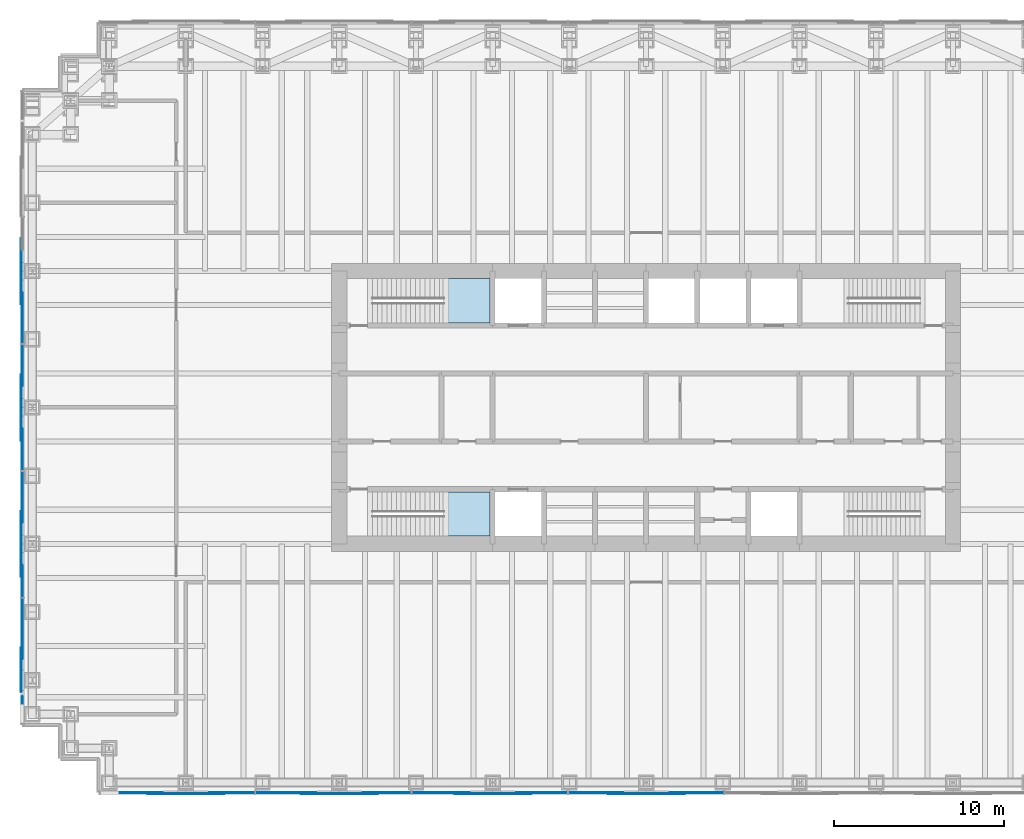
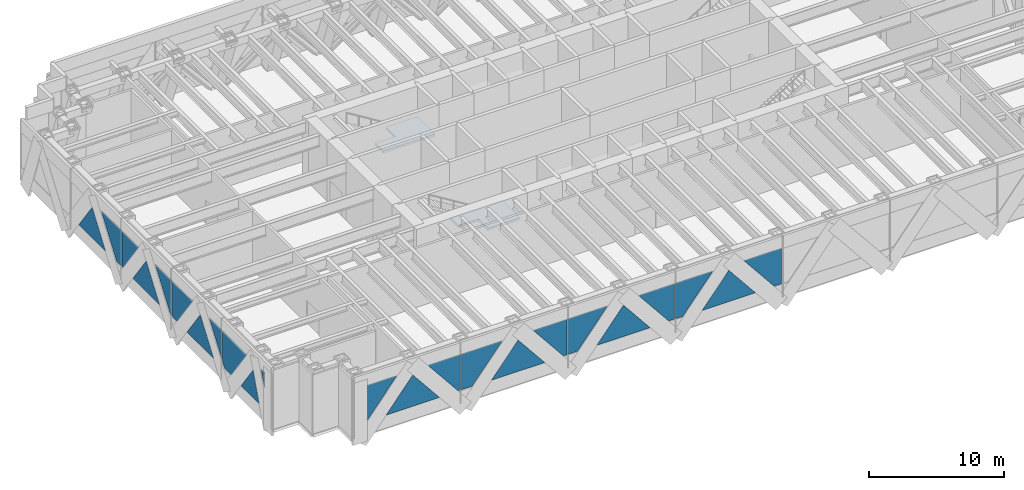
# One storey, part 10 of 16: 23 plates, 2 slabs, 4 elements without a shape of their own.
"""IFC4 building model written with IfcOpenShell, lengths in metres."""

from ifc_helpers import new_model, si_unit, direction, frame, origin, place, context, subcontext, project, spatial, polyline, outline, extrude, material, layer, layer_set, type_object, element, aggregate, save


model = new_model("IFC4")

# Units and contexts
model_context = context("Model", 3, precision=1e-05, world=origin(), true_north=direction((0.0, 1.0)))
body_context = subcontext(model_context, "Body", "Model", "MODEL_VIEW")
ifc_project = project(units=[si_unit("LENGTHUNIT", "METRE"), si_unit("AREAUNIT", "SQUARE_METRE"), si_unit("VOLUMEUNIT", "CUBIC_METRE"), si_unit("PLANEANGLEUNIT", "RADIAN"), si_unit("MASSUNIT", "GRAM", prefix="KILO")], contexts=[model_context])

# Site, building, storey
site_placement = place(None, origin())
site = spatial("IfcSite", under=ifc_project, at=site_placement, CompositionType="ELEMENT")
building_placement = place(site_placement, origin())
building = spatial("IfcBuilding", under=site, at=building_placement, Name="Rheinbord Bourse Tower", CompositionType="ELEMENT")
storey_placement = place(building_placement, frame((0.0, 0.0, 180.300048828125)))
storey = spatial("IfcBuildingStorey", under=building, at=storey_placement, Name="L40", CompositionType="ELEMENT", Elevation=180.300048828125)

# Curtain wall, plates
ifc_material_1 = material(Name="Dark glass and black aluminium", Category="aluminium")
curtain_wall_type = type_object("IfcCurtainWallType", Name="CW5 DARK GLASS CURTAIN WALL", PredefinedType="USERDEFINED", material=ifc_material_1)
curtain_wall_1_placement = place(storey_placement, origin())
curtain_wall_1 = element("IfcCurtainWall", 1, at=curtain_wall_1_placement, inside=storey, type_object=curtain_wall_type, Name="Curtain wall CW5 S L40", ObjectType="UNITISED CURTAIN WALL", PredefinedType="USERDEFINED")
ifc_material_2 = material(Name="Dark tinted triple insulating glass", Category="glass")
ifc_layer_1 = layer(ifc_material_2, 0.050048828125)
ifc_layer_set_1 = layer_set([ifc_layer_1], Name="CW5 DARK GLASS PANEL")
plate_type = type_object("IfcPlateType", Name="CW5 DARK GLASS PANEL", PredefinedType="CURTAIN_PANEL", material=ifc_layer_set_1)
plate_1_placement = place(storey_placement, frame((7.677001953125, 1.375, 4.349853515625), z_axis=(0.0, 1.0, 0.0), x_axis=(-0.627103706788, 0.0, -0.778935774587)))
plate_1 = element("IfcPlate", 2, at=plate_1_placement, type_object=plate_type, Name="CW5 glass facet 1", PredefinedType="CURTAIN_PANEL", context=body_context, shape_type="SweptSolid", body=[
    extrude(outline(polyline([(0.0, 0.0), (4.061767578125, 0.0), (1.597412109375, 1.984130859375), (0.0, 0.0)])), origin(), (0.0, 0.0, 1.0), 0.050048828125),
])
plate_2_placement = place(storey_placement, frame((6.717041015625, 1.31982421875, 1.14990234375), z_axis=(0.0, 1.0, 0.0), x_axis=(0.627071935426, 0.0, 0.778961351931)))
plate_2 = element("IfcPlate", 3, at=plate_2_placement, type_object=plate_type, Name="CW5 glass facet 2", PredefinedType="CURTAIN_PANEL", context=body_context, shape_type="SweptSolid", body=[
    extrude(outline(polyline([(0.0, 0.0), (3.640625, 0.0), (2.863037109375, 3.556640625), (0.0, 0.0)])), origin(), (0.0, 0.0, 1.0), 0.050048828125),
])
plate_3_placement = place(storey_placement, frame((13.031005859375, 1.375, 4.349853515625), z_axis=(0.0, 1.0, 0.0), x_axis=(0.0, 0.0, -1.0)))
plate_3 = element("IfcPlate", 4, at=plate_3_placement, type_object=plate_type, Name="CW5 glass facet 3", PredefinedType="CURTAIN_PANEL", context=body_context, shape_type="SweptSolid", body=[
    extrude(outline(polyline([(0.0, 0.0), (3.199951171875, 0.0), (3.199951171875, 0.132080078125), (0.0, 2.7080078125), (0.0, 0.0)])), origin(), (0.0, 0.0, 1.0), 0.050048828125),
])
plate_4_placement = place(storey_placement, frame((13.111083984375, 1.375, 1.14990234375), z_axis=(0.0, 1.0, 0.0), x_axis=(0.0, 0.0, 1.0)))
plate_4 = element("IfcPlate", 5, at=plate_4_placement, type_object=plate_type, Name="CW5 glass facet 1", PredefinedType="CURTAIN_PANEL", context=body_context, shape_type="SweptSolid", body=[
    extrude(outline(polyline([(0.0, 0.0), (3.199951171875, 0.0), (3.199951171875, 3.56591796875), (0.0, 0.989990234375), (0.0, 0.0)])), origin(), (0.0, 0.0, 1.0), 0.050048828125),
])
plate_5_placement = place(storey_placement, frame((15.717041015625, 1.31982421875, 1.14990234375), z_axis=(0.0, 1.0, 0.0), x_axis=(0.627071935426, 0.0, 0.778961351931)))
plate_5 = element("IfcPlate", 6, at=plate_5_placement, type_object=plate_type, Name="CW5 glass facet 2", PredefinedType="CURTAIN_PANEL", context=body_context, shape_type="SweptSolid", body=[
    extrude(outline(polyline([(0.0, 0.0), (3.640625, 0.0), (2.863037109375, 3.556640625), (0.0, 0.0)])), origin(), (0.0, 0.0, 1.0), 0.050048828125),
])
plate_6_placement = place(storey_placement, frame((22.202880859375, 1.375, 4.349853515625), z_axis=(0.0, 1.0, 0.0), x_axis=(0.0, 0.0, -1.0)))
plate_6 = element("IfcPlate", 7, at=plate_6_placement, type_object=plate_type, Name="CW5 glass facet 3", PredefinedType="CURTAIN_PANEL", context=body_context, shape_type="SweptSolid", body=[
    extrude(outline(polyline([(0.0, 0.0), (3.199951171875, 0.0), (3.199951171875, 0.303955078125), (0.0, 2.8798828125), (0.0, 0.0)])), origin(), (0.0, 0.0, 1.0), 0.050048828125),
])
plate_7_placement = place(storey_placement, frame((22.282958984375, 1.375, 1.14990234375), z_axis=(0.0, 1.0, 0.0), x_axis=(0.0, 0.0, 1.0)))
plate_7 = element("IfcPlate", 8, at=plate_7_placement, type_object=plate_type, Name="CW5 glass facet 1", PredefinedType="CURTAIN_PANEL", context=body_context, shape_type="SweptSolid", body=[
    extrude(outline(polyline([(0.0, 0.0), (3.199951171875, 0.0), (3.199951171875, 3.39404296875), (0.0, 0.818115234375), (0.0, 0.0)])), origin(), (0.0, 0.0, 1.0), 0.050048828125),
])
plate_8_placement = place(storey_placement, frame((24.717041015625, 1.31982421875, 1.14990234375), z_axis=(0.0, 1.0, 0.0), x_axis=(0.627071935426, 0.0, 0.778961351931)))
plate_8 = element("IfcPlate", 9, at=plate_8_placement, type_object=plate_type, Name="CW5 glass facet 2", PredefinedType="CURTAIN_PANEL", context=body_context, shape_type="SweptSolid", body=[
    extrude(outline(polyline([(0.0, 0.0), (3.640625, 0.0), (2.863037109375, 3.556640625), (0.0, 0.0)])), origin(), (0.0, 0.0, 1.0), 0.050048828125),
])
plate_9_placement = place(storey_placement, frame((31.3740234375, 1.375, 4.349853515625), z_axis=(0.0, 1.0, 0.0), x_axis=(0.0, 0.0, -1.0)))
plate_9 = element("IfcPlate", 10, at=plate_9_placement, type_object=plate_type, Name="CW5 glass facet 3", PredefinedType="CURTAIN_PANEL", context=body_context, shape_type="SweptSolid", body=[
    extrude(outline(polyline([(0.0, 0.0), (3.199951171875, 0.0), (3.199951171875, 0.47509765625), (0.0, 3.051025390625), (0.0, 0.0)])), origin(), (0.0, 0.0, 1.0), 0.050048828125),
])
plate_10_placement = place(storey_placement, frame((31.4541015625, 1.375, 1.14990234375), z_axis=(0.0, 1.0, 0.0), x_axis=(0.0, 0.0, 1.0)))
plate_10 = element("IfcPlate", 11, at=plate_10_placement, type_object=plate_type, Name="CW5 glass facet 1", PredefinedType="CURTAIN_PANEL", context=body_context, shape_type="SweptSolid", body=[
    extrude(outline(polyline([(0.0, 0.0), (3.199951171875, 0.0), (3.199951171875, 3.222900390625), (0.0, 0.64697265625), (0.0, 0.0)])), origin(), (0.0, 0.0, 1.0), 0.050048828125),
])
plate_11_placement = place(storey_placement, frame((33.717041015625, 1.31982421875, 1.14990234375), z_axis=(0.0, 1.0, 0.0), x_axis=(0.627071935426, 0.0, 0.778961351931)))
plate_11 = element("IfcPlate", 12, at=plate_11_placement, type_object=plate_type, Name="CW5 glass facet 2", PredefinedType="CURTAIN_PANEL", context=body_context, shape_type="SweptSolid", body=[
    extrude(outline(polyline([(0.0, 0.0), (3.640625, 0.0), (2.863037109375, 3.556640625), (0.0, 0.0)])), origin(), (0.0, 0.0, 1.0), 0.050048828125),
])
plate_12_placement = place(storey_placement, frame((40.5458984375, 1.375, 4.349853515625), z_axis=(0.0, 1.0, 0.0), x_axis=(0.0, 0.0, -1.0)))
plate_12 = element("IfcPlate", 13, at=plate_12_placement, type_object=plate_type, Name="CW5 glass facet 3", PredefinedType="CURTAIN_PANEL", context=body_context, shape_type="SweptSolid", body=[
    extrude(outline(polyline([(0.0, 0.0), (3.199951171875, 0.0), (3.199951171875, 0.64697265625), (0.0, 3.222900390625), (0.0, 0.0)])), origin(), (0.0, 0.0, 1.0), 0.050048828125),
])
aggregate(curtain_wall_1, [plate_1, plate_2, plate_3, plate_4, plate_5, plate_6, plate_7, plate_8, plate_9, plate_10, plate_11, plate_12])

curtain_wall_2_placement = place(storey_placement, origin())
curtain_wall_2 = element("IfcCurtainWall", 14, at=curtain_wall_2_placement, inside=storey, type_object=curtain_wall_type, Name="Curtain wall CW5 W L40", ObjectType="UNITISED CURTAIN WALL", PredefinedType="USERDEFINED")
plate_13_placement = place(storey_placement, frame((-0.68017578125, 33.97412109375, 1.14990234375), z_axis=(1.0, 0.0, 0.0), x_axis=(0.0, -0.582034564553, 0.813164045975)))
plate_13 = element("IfcPlate", 15, at=plate_13_placement, type_object=plate_type, Name="CW5 glass facet 2", PredefinedType="CURTAIN_PANEL", context=body_context, shape_type="SweptSolid", body=[
    extrude(outline(polyline([(0.0, 0.0), (3.391845703125, 0.0), (2.298095703125, 3.21044921875), (0.0, 0.0)])), origin(), (0.0, 0.0, 1.0), 0.050048828125),
])
plate_14_placement = place(storey_placement, frame((-0.625, 27.760009765625, 4.349853515625), z_axis=(1.0, 0.0, 0.0), x_axis=(0.0, 0.0, -1.0)))
plate_14 = element("IfcPlate", 16, at=plate_14_placement, type_object=plate_type, Name="CW5 glass facet 3", PredefinedType="CURTAIN_PANEL", context=body_context, shape_type="SweptSolid", body=[
    extrude(outline(polyline([(0.0, 0.0), (3.199951171875, 0.0), (3.199951171875, 0.718017578125), (0.0, 3.008056640625), (0.0, 0.0)])), origin(), (0.0, 0.0, 1.0), 0.050048828125),
])
plate_15_placement = place(storey_placement, frame((-0.625, 27.679931640625, 1.14990234375), z_axis=(1.0, 0.0, 0.0), x_axis=(0.0, 0.0, 1.0)))
plate_15 = element("IfcPlate", 17, at=plate_15_placement, type_object=plate_type, Name="CW5 glass facet 1", PredefinedType="CURTAIN_PANEL", context=body_context, shape_type="SweptSolid", body=[
    extrude(outline(polyline([(0.0, 0.0), (3.199951171875, 0.0), (3.199951171875, 2.447998046875), (0.0, 0.157958984375), (0.0, 0.0)])), origin(), (0.0, 0.0, 1.0), 0.050048828125),
])
plate_16_placement = place(storey_placement, frame((-0.68017578125, 25.97412109375, 1.14990234375), z_axis=(1.0, 0.0, 0.0), x_axis=(0.0, -0.582034564553, 0.813164045975)))
plate_16 = element("IfcPlate", 18, at=plate_16_placement, type_object=plate_type, Name="CW5 glass facet 2", PredefinedType="CURTAIN_PANEL", context=body_context, shape_type="SweptSolid", body=[
    extrude(outline(polyline([(0.0, 0.0), (3.391845703125, 0.0), (2.298095703125, 3.21044921875), (0.0, 0.0)])), origin(), (0.0, 0.0, 1.0), 0.050048828125),
])
plate_17_placement = place(storey_placement, frame((-0.625, 20.320068359375, 4.349853515625), z_axis=(1.0, 0.0, 0.0), x_axis=(0.0, 0.0, -1.0)))
plate_17 = element("IfcPlate", 19, at=plate_17_placement, type_object=plate_type, Name="CW5 glass facet 3", PredefinedType="CURTAIN_PANEL", context=body_context, shape_type="SweptSolid", body=[
    extrude(outline(polyline([(0.0, 0.0), (3.199951171875, 0.0), (3.199951171875, 0.157958984375), (0.0, 2.447998046875), (0.0, 0.0)])), origin(), (0.0, 0.0, 1.0), 0.050048828125),
])
plate_18_placement = place(storey_placement, frame((-0.625, 20.239990234375, 1.14990234375), z_axis=(1.0, 0.0, 0.0), x_axis=(0.0, 0.0, 1.0)))
plate_18 = element("IfcPlate", 20, at=plate_18_placement, type_object=plate_type, Name="CW5 glass facet 1", PredefinedType="CURTAIN_PANEL", context=body_context, shape_type="SweptSolid", body=[
    extrude(outline(polyline([(0.0, 0.0), (3.199951171875, 0.0), (3.199951171875, 3.008056640625), (0.0, 0.718017578125), (0.0, 0.0)])), origin(), (0.0, 0.0, 1.0), 0.050048828125),
])
plate_19_placement = place(storey_placement, frame((-0.68017578125, 17.97412109375, 1.14990234375), z_axis=(1.0, 0.0, 0.0), x_axis=(0.0, -0.582034564553, 0.813164045975)))
plate_19 = element("IfcPlate", 21, at=plate_19_placement, type_object=plate_type, Name="CW5 glass facet 2", PredefinedType="CURTAIN_PANEL", context=body_context, shape_type="SweptSolid", body=[
    extrude(outline(polyline([(0.0, 0.0), (3.391845703125, 0.0), (2.298095703125, 3.21044921875), (0.0, 0.0)])), origin(), (0.0, 0.0, 1.0), 0.050048828125),
])
plate_20_placement = place(storey_placement, frame((-0.625, 12.8798828125, 4.349853515625), z_axis=(1.0, 0.0, 0.0), x_axis=(0.0, 0.0, -1.0)))
plate_20 = element("IfcPlate", 22, at=plate_20_placement, type_object=plate_type, Name="CW5 glass facet 3", PredefinedType="CURTAIN_PANEL", context=body_context, shape_type="SweptSolid", body=[
    extrude(outline(polyline([(0.0, 0.0), (2.637939453125, 0.0), (0.0, 1.88818359375), (0.0, 0.0)])), origin(), (0.0, 0.0, 1.0), 0.050048828125),
])
plate_21_placement = place(storey_placement, frame((-0.625, 12.47802734375, 1.14990234375), z_axis=(1.0, 0.0, 0.0), x_axis=(0.0, 0.581989238369, 0.813196486971)))
plate_21 = element("IfcPlate", 23, at=plate_21_placement, type_object=plate_type, Name="CW5 glass facet 1", PredefinedType="CURTAIN_PANEL", context=body_context, shape_type="SweptSolid", body=[
    extrude(outline(polyline([(0.0, 0.0), (0.55322265625, 0.0), (2.78955078125, 1.6005859375), (0.712890625, 4.501953125), (-0.556396484375, 0.77734375), (0.0, 0.0)])), origin(), (0.0, 0.0, 1.0), 0.050048828125),
])
plate_22_placement = place(storey_placement, frame((-0.68017578125, 9.97412109375, 1.14990234375), z_axis=(1.0, 0.0, 0.0), x_axis=(0.0, -0.581930214908, 0.813238725699)))
plate_22 = element("IfcPlate", 24, at=plate_22_placement, type_object=plate_type, Name="CW5 glass facet 2", PredefinedType="CURTAIN_PANEL", context=body_context, shape_type="SweptSolid", body=[
    extrude(outline(polyline([(0.0, 0.0), (3.0693359375, 0.0), (1.55908203125, 2.1787109375), (0.0, 0.0)])), origin(), (0.0, 0.0, 1.0), 0.050048828125),
])
plate_23_placement = place(storey_placement, frame((-0.625, 6.6298828125, 4.349853515625), z_axis=(1.0, 0.0, 0.0), x_axis=(0.0, 0.0, -1.0)))
plate_23 = element("IfcPlate", 25, at=plate_23_placement, type_object=plate_type, Name="CW5 glass facet 3", PredefinedType="CURTAIN_PANEL", context=body_context, shape_type="SweptSolid", body=[
    extrude(outline(polyline([(0.0, 0.0), (1.322021484375, 0.0), (0.0, 0.47216796875), (0.0, 0.0)])), origin(), (0.0, 0.0, 1.0), 0.050048828125),
])
aggregate(curtain_wall_2, [plate_13, plate_14, plate_15, plate_16, plate_17, plate_18, plate_19, plate_20, plate_21, plate_22, plate_23])

# Stair, slab
ifc_material_3 = material(Name="Concrete C30/37", Category="concrete")
stair_type = type_object("IfcStairType", Name="CORE STAIR HALF TURN 5500", PredefinedType="HALF_TURN_STAIR", material=ifc_material_3)
stair_1_placement = place(storey_placement, origin())
stair_1 = element("IfcStair", 26, at=stair_1_placement, inside=storey, type_object=stair_type, Name="Stair ST1 L40, type CS5", PredefinedType="HALF_TURN_STAIR")
ifc_material_4 = material(Name="Concrete C30/37", Category="concrete")
ifc_layer_2 = layer(ifc_material_4, 0.199951171875)
ifc_layer_set_2 = layer_set([ifc_layer_2], Name="STAIR LANDING 200")
slab_type = type_object("IfcSlabType", Name="STAIR LANDING 200", PredefinedType="LANDING", material=ifc_layer_set_2)
slab_1_placement = place(storey_placement, frame((0.0, 0.0, 2.550048828125)))
slab_1 = element("IfcSlab", 27, at=slab_1_placement, type_object=slab_type, Name="Half landing ST1 L40", PredefinedType="LANDING", context=body_context, shape_type="SweptSolid", body=[
    extrude(outline(polyline([(24.14990234375, 16.449951171875), (26.85009765625, 16.449951171875), (26.85009765625, 19.050048828125), (22.419921875, 19.050048828125), (22.419921875, 17.85009765625), (24.14990234375, 17.85009765625), (24.14990234375, 16.449951171875)])), origin(), (0.0, 0.0, 1.0), 0.199951171875),
])
aggregate(stair_1, [slab_1])

stair_2_placement = place(storey_placement, origin())
stair_2 = element("IfcStair", 28, at=stair_2_placement, inside=storey, type_object=stair_type, Name="Stair ST2 L40, type CS5", PredefinedType="HALF_TURN_STAIR")
slab_2_placement = place(storey_placement, frame((0.0, 0.0, 2.550048828125)))
slab_2 = element("IfcSlab", 29, at=slab_2_placement, type_object=slab_type, Name="Half landing ST2 L40", PredefinedType="LANDING", context=body_context, shape_type="SweptSolid", body=[
    extrude(outline(polyline([(22.419921875, 28.949951171875), (26.85009765625, 28.949951171875), (26.85009765625, 31.550048828125), (24.14990234375, 31.550048828125), (24.14990234375, 30.14990234375), (22.419921875, 30.14990234375), (22.419921875, 28.949951171875)])), origin(), (0.0, 0.0, 1.0), 0.199951171875),
])
aggregate(stair_2, [slab_2])

save(model, "model.ifc")
